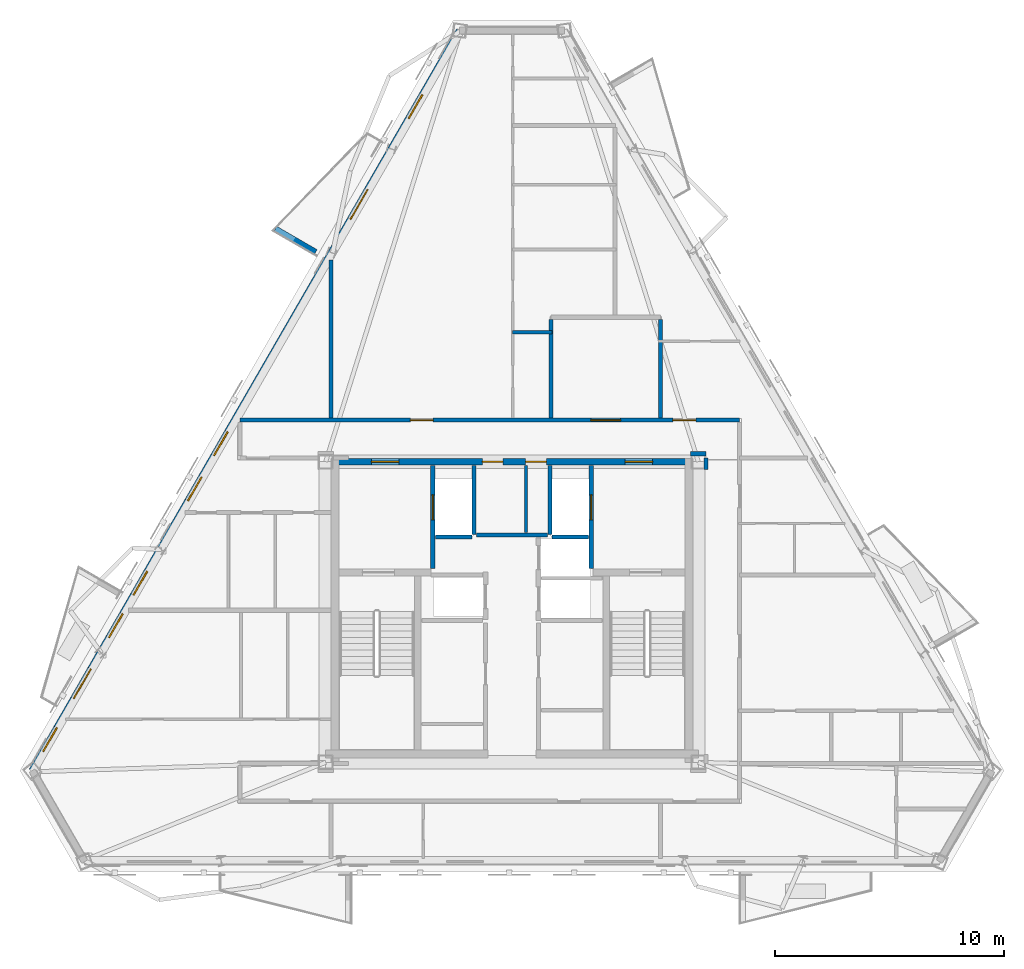
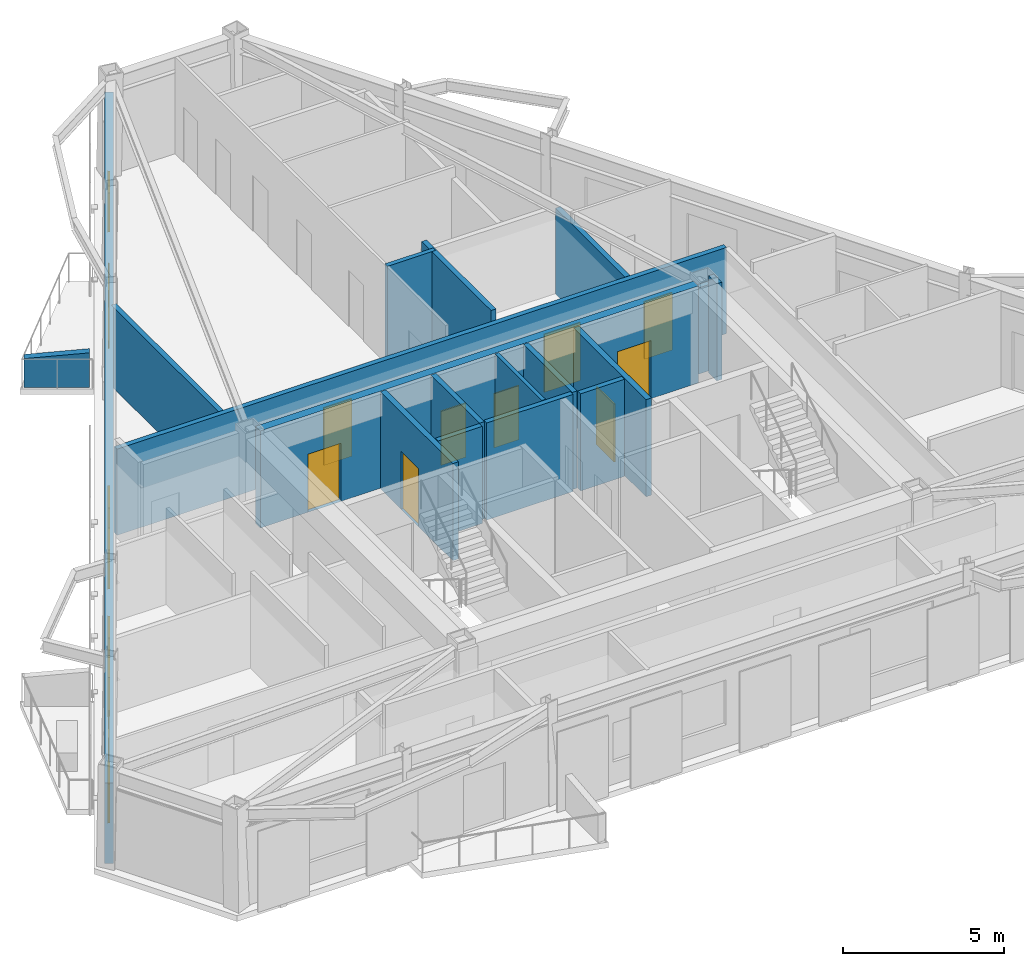
# One storey, part 4 of 9: 18 walls, 11 doors, 6 windows, 17 openings.
"""IFC4 building model written with IfcOpenShell, lengths in metres."""

from ifc_helpers import new_model, si_unit, direction, frame, frame_2d, origin, place, context, subcontext, project, spatial, polyline, rectangle, outline, extrude, material, layer, layer_set, type_object, element, fill, save


model = new_model("IFC4")

# Units and contexts
model_context = context("Model", 3, precision=1e-05, world=origin(), true_north=direction((0.0, 1.0)))
body_context = subcontext(model_context, "Body", "Model", "MODEL_VIEW")
ifc_project = project(units=[si_unit("LENGTHUNIT", "METRE"), si_unit("AREAUNIT", "SQUARE_METRE"), si_unit("VOLUMEUNIT", "CUBIC_METRE"), si_unit("PLANEANGLEUNIT", "RADIAN"), si_unit("MASSUNIT", "GRAM", prefix="KILO")], contexts=[model_context])

# Site, building, storey
site_placement = place(None, origin())
site = spatial("IfcSite", under=ifc_project, at=site_placement, CompositionType="ELEMENT")
building_placement = place(site_placement, origin())
building = spatial("IfcBuilding", under=site, at=building_placement, Name="Oramaril Tower", CompositionType="ELEMENT")
storey_placement = place(building_placement, frame((0.0, 0.0, 277.199951171875)))
storey = spatial("IfcBuildingStorey", under=building, at=storey_placement, Name="L73", CompositionType="ELEMENT", Elevation=277.199951171875)

# Wall, openings, doors, windows
ifc_material_1 = material(Name="Warm Cream Limestone", Category="masonry")
ifc_layer_1 = layer(ifc_material_1, 0.2900390625)
ifc_layer_set_1 = layer_set([ifc_layer_1], Name="WT-EXT29")
wall_type_1 = type_object("IfcWallType", Name="WT-EXT29", PredefinedType="SOLIDWALL", material=ifc_layer_set_1)
wall_1_placement = place(storey_placement, frame((35.201904296875, 43.013427734375, 0.0), z_axis=(0.0, 0.0, 1.0), x_axis=(-0.499998095684, -0.866026503239, 0.0)))
wall_1 = element("IfcWall", 1, at=wall_1_placement, inside=storey, type_object=wall_type_1, Name="L73 Tower Limestone Facade Wall 6M", PredefinedType="SOLIDWALL", context=body_context, shape_type="SweptSolid", body=[
    extrude(rectangle(XDim=37.389404296875, YDim=0.2900390625, at=frame_2d((18.69482421875, 0.0))), origin(), (0.0, 0.0, 1.0), 3.05810546875),
])
opening_1_placement = place(wall_1_placement, frame((8.034423828125, 0.0, 0.0)))
opening_1 = element("IfcOpeningElement", 2, at=opening_1_placement, cuts=wall_1, Name="Opening D-L73-BAL-NW1", PredefinedType="OPENING", context=body_context, shape_type="SweptSolid", body=[
    extrude(rectangle(XDim=1.5, YDim=2.199951171875, at=frame_2d((0.75, 1.10009765625))), frame((0.0, 0.14501953125, 0.0), z_axis=(0.0, -1.0, 0.0), x_axis=(1.0, 0.0, 0.0)), (0.0, 0.0, 1.0), 0.2900390625),
])
opening_2_placement = place(wall_1_placement, frame((32.25, 0.0, 0.0)))
opening_2 = element("IfcOpeningElement", 3, at=opening_2_placement, cuts=wall_1, Name="Opening D-L73-BAL-NW2", PredefinedType="OPENING", context=body_context, shape_type="SweptSolid", body=[
    extrude(rectangle(XDim=1.5, YDim=2.199951171875, at=frame_2d((0.75, 1.10009765625))), frame((0.0, 0.14501953125, 0.0), z_axis=(0.0, -1.0, 0.0), x_axis=(1.0, 0.0, 0.0)), (0.0, 0.0, 1.0), 0.2900390625),
])
opening_3_placement = place(wall_1_placement, frame((35.22265625, 0.0, 0.85009765625)))
opening_3 = element("IfcOpeningElement", 4, at=opening_3_placement, cuts=wall_1, Name="Opening WN-09", PredefinedType="OPENING", context=body_context, shape_type="SweptSolid", body=[
    extrude(rectangle(XDim=1.199951171875, YDim=1.47998046875, at=frame_2d((0.60009765625, 0.739990234375))), frame((0.0, 0.14501953125, 0.0), z_axis=(0.0, -1.0, 0.0), x_axis=(1.0, 0.0, 0.0)), (0.0, 0.0, 1.0), 0.2900390625),
])
opening_4_placement = place(wall_1_placement, frame((29.46142578125, 0.0, 0.85009765625)))
opening_4 = element("IfcOpeningElement", 5, at=opening_4_placement, cuts=wall_1, Name="Opening WN-09", PredefinedType="OPENING", context=body_context, shape_type="SweptSolid", body=[
    extrude(rectangle(XDim=1.199951171875, YDim=1.47998046875, at=frame_2d((0.60009765625, 0.739990234375))), frame((0.0, 0.14501953125, 0.0), z_axis=(0.0, -1.0, 0.0), x_axis=(1.0, 0.0, 0.0)), (0.0, 0.0, 1.0), 0.2900390625),
])
opening_5_placement = place(wall_1_placement, frame((20.2705078125, 0.0, 0.85009765625)))
opening_5 = element("IfcOpeningElement", 6, at=opening_5_placement, cuts=wall_1, Name="Opening WN-09", PredefinedType="OPENING", context=body_context, shape_type="SweptSolid", body=[
    extrude(rectangle(XDim=1.199951171875, YDim=1.47998046875, at=frame_2d((0.60009765625, 0.739990234375))), frame((0.0, 0.14501953125, 0.0), z_axis=(0.0, -1.0, 0.0), x_axis=(1.0, 0.0, 0.0)), (0.0, 0.0, 1.0), 0.2900390625),
])
opening_6_placement = place(wall_1_placement, frame((22.555419921875, 0.0, 0.85009765625)))
opening_6 = element("IfcOpeningElement", 7, at=opening_6_placement, cuts=wall_1, Name="Opening WN-09", PredefinedType="OPENING", context=body_context, shape_type="SweptSolid", body=[
    extrude(rectangle(XDim=1.199951171875, YDim=1.47998046875, at=frame_2d((0.60009765625, 0.739990234375))), frame((0.0, 0.14501953125, 0.0), z_axis=(0.0, -1.0, 0.0), x_axis=(1.0, 0.0, 0.0)), (0.0, 0.0, 1.0), 0.2900390625),
])
opening_7_placement = place(wall_1_placement, frame((27.315185546875, 0.0, 0.85009765625)))
opening_7 = element("IfcOpeningElement", 8, at=opening_7_placement, cuts=wall_1, Name="Opening WN-09", PredefinedType="OPENING", context=body_context, shape_type="SweptSolid", body=[
    extrude(rectangle(XDim=1.199951171875, YDim=1.47998046875, at=frame_2d((0.60009765625, 0.739990234375))), frame((0.0, 0.14501953125, 0.0), z_axis=(0.0, -1.0, 0.0), x_axis=(1.0, 0.0, 0.0)), (0.0, 0.0, 1.0), 0.2900390625),
])
opening_8_placement = place(wall_1_placement, frame((3.241943359375, 0.0, 0.85009765625)))
opening_8 = element("IfcOpeningElement", 9, at=opening_8_placement, cuts=wall_1, Name="Opening WN-09", PredefinedType="OPENING", context=body_context, shape_type="SweptSolid", body=[
    extrude(rectangle(XDim=1.199951171875, YDim=1.47998046875, at=frame_2d((0.60009765625, 0.739990234375))), frame((0.0, 0.14501953125, 0.0), z_axis=(0.0, -1.0, 0.0), x_axis=(1.0, 0.0, 0.0)), (0.0, 0.0, 1.0), 0.2900390625),
])
ifc_material_2 = material(Name="Anodised Aluminium 6063-T6", Category="aluminium")
door_type_1 = type_object("IfcDoorType", Name="DT-BAL", OperationType="NOTDEFINED", PredefinedType="DOOR", material=ifc_material_2)
door_1_placement = place(opening_1_placement, origin())
door_1 = element("IfcDoor", 10, at=door_1_placement, inside=storey, type_object=door_type_1, Name="L73 Balcony Glazed Door L73-BAL-NW1", OperationType="SINGLE_SWING_RIGHT", OverallHeight=2.199951171875, OverallWidth=1.5, PredefinedType="DOOR", context=body_context, shape_type="SweptSolid", body=[
    extrude(rectangle(XDim=1.5, YDim=2.199951171875, at=frame_2d((0.75, 1.10009765625))), frame((0.0, 0.02490234375, 0.0), z_axis=(0.0, -1.0, 0.0), x_axis=(1.0, 0.0, 0.0)), (0.0, 0.0, 1.0), 0.050048828125),
])
fill(opening_1, door_1)
door_2_placement = place(opening_2_placement, origin())
door_2 = element("IfcDoor", 11, at=door_2_placement, inside=storey, type_object=door_type_1, Name="L73 Balcony Glazed Door L73-BAL-NW2", OperationType="SINGLE_SWING_LEFT", OverallHeight=2.199951171875, OverallWidth=1.5, PredefinedType="DOOR", context=body_context, shape_type="SweptSolid", body=[
    extrude(rectangle(XDim=1.5, YDim=2.199951171875, at=frame_2d((0.75, 1.10009765625))), frame((0.0, 0.02490234375, 0.0), z_axis=(0.0, -1.0, 0.0), x_axis=(1.0, 0.0, 0.0)), (0.0, 0.0, 1.0), 0.050048828125),
])
fill(opening_2, door_2)
ifc_material_3 = material(Name="Coastal Low-E Insulated Glass", Category="glass")
window_type = type_object("IfcWindowType", Name="WNT-09", PartitioningType="SINGLE_PANEL", PredefinedType="WINDOW", material=ifc_material_3)
window_1_placement = place(opening_3_placement, origin())
window_1 = element("IfcWindow", 12, at=window_1_placement, inside=storey, type_object=window_type, Name="L73 Chicago Bay Window WN-09", OverallHeight=1.47998046875, OverallWidth=1.199951171875, PartitioningType="SINGLE_PANEL", PredefinedType="WINDOW", context=body_context, shape_type="SweptSolid", body=[
    extrude(rectangle(XDim=1.199951171875, YDim=1.47998046875, at=frame_2d((0.60009765625, 0.739990234375))), frame((0.0, 0.030029296875, 0.0), z_axis=(0.0, -1.0, 0.0), x_axis=(1.0, 0.0, 0.0)), (0.0, 0.0, 1.0), 0.06005859375),
])
fill(opening_3, window_1)
window_2_placement = place(opening_4_placement, origin())
window_2 = element("IfcWindow", 13, at=window_2_placement, inside=storey, type_object=window_type, Name="L73 Chicago Bay Window WN-09", OverallHeight=1.47998046875, OverallWidth=1.199951171875, PartitioningType="SINGLE_PANEL", PredefinedType="WINDOW", context=body_context, shape_type="SweptSolid", body=[
    extrude(rectangle(XDim=1.199951171875, YDim=1.47998046875, at=frame_2d((0.60009765625, 0.739990234375))), frame((0.0, 0.030029296875, 0.0), z_axis=(0.0, -1.0, 0.0), x_axis=(1.0, 0.0, 0.0)), (0.0, 0.0, 1.0), 0.06005859375),
])
fill(opening_4, window_2)
window_3_placement = place(opening_5_placement, origin())
window_3 = element("IfcWindow", 14, at=window_3_placement, inside=storey, type_object=window_type, Name="L73 Chicago Bay Window WN-09", OverallHeight=1.47998046875, OverallWidth=1.199951171875, PartitioningType="SINGLE_PANEL", PredefinedType="WINDOW", context=body_context, shape_type="SweptSolid", body=[
    extrude(rectangle(XDim=1.199951171875, YDim=1.47998046875, at=frame_2d((0.60009765625, 0.739990234375))), frame((0.0, 0.030029296875, 0.0), z_axis=(0.0, -1.0, 0.0), x_axis=(1.0, 0.0, 0.0)), (0.0, 0.0, 1.0), 0.06005859375),
])
fill(opening_5, window_3)
window_4_placement = place(opening_6_placement, origin())
window_4 = element("IfcWindow", 15, at=window_4_placement, inside=storey, type_object=window_type, Name="L73 Chicago Bay Window WN-09", OverallHeight=1.47998046875, OverallWidth=1.199951171875, PartitioningType="SINGLE_PANEL", PredefinedType="WINDOW", context=body_context, shape_type="SweptSolid", body=[
    extrude(rectangle(XDim=1.199951171875, YDim=1.47998046875, at=frame_2d((0.60009765625, 0.739990234375))), frame((0.0, 0.030029296875, 0.0), z_axis=(0.0, -1.0, 0.0), x_axis=(1.0, 0.0, 0.0)), (0.0, 0.0, 1.0), 0.06005859375),
])
fill(opening_6, window_4)
window_5_placement = place(opening_7_placement, origin())
window_5 = element("IfcWindow", 16, at=window_5_placement, inside=storey, type_object=window_type, Name="L73 Chicago Bay Window WN-09", OverallHeight=1.47998046875, OverallWidth=1.199951171875, PartitioningType="SINGLE_PANEL", PredefinedType="WINDOW", context=body_context, shape_type="SweptSolid", body=[
    extrude(rectangle(XDim=1.199951171875, YDim=1.47998046875, at=frame_2d((0.60009765625, 0.739990234375))), frame((0.0, 0.030029296875, 0.0), z_axis=(0.0, -1.0, 0.0), x_axis=(1.0, 0.0, 0.0)), (0.0, 0.0, 1.0), 0.06005859375),
])
fill(opening_7, window_5)
window_6_placement = place(opening_8_placement, origin())
window_6 = element("IfcWindow", 17, at=window_6_placement, inside=storey, type_object=window_type, Name="L73 Chicago Bay Window WN-09", OverallHeight=1.47998046875, OverallWidth=1.199951171875, PartitioningType="SINGLE_PANEL", PredefinedType="WINDOW", context=body_context, shape_type="SweptSolid", body=[
    extrude(rectangle(XDim=1.199951171875, YDim=1.47998046875, at=frame_2d((0.60009765625, 0.739990234375))), frame((0.0, 0.030029296875, 0.0), z_axis=(0.0, -1.0, 0.0), x_axis=(1.0, 0.0, 0.0)), (0.0, 0.0, 1.0), 0.06005859375),
])
fill(opening_8, window_6)

# Walls
ifc_material_4 = material(Name="Concrete C40/50", Category="concrete")
ifc_layer_2 = layer(ifc_material_4, 0.22998046875)
ifc_layer_set_2 = layer_set([ifc_layer_2], Name="WT-PRP23")
wall_type_2 = type_object("IfcWallType", Name="WT-PRP23", PredefinedType="PARAPET", material=ifc_layer_set_2)
wall_2_placement = place(storey_placement, frame((28.91943359375, 33.32763671875, 0.0), z_axis=(0.0, 0.0, 1.0), x_axis=(-0.866042246008, 0.499970827278, 0.0)))
element("IfcWall", 18, at=wall_2_placement, inside=storey, type_object=wall_type_2, Name="L73 Trapezoidal Balcony Frame Cheek L73-BAL-NW1-R", PredefinedType="PARAPET", context=body_context, shape_type="SweptSolid", body=[
    extrude(outline(polyline([(0.0, 0.0), (2.0419921875, 0.0), (2.0419921875, 1.10009765625), (0.0, 1.320068359375), (0.0, 0.0)])), frame((0.0, 0.114990234375, 0.0), z_axis=(0.0, -1.0, 0.0), x_axis=(1.0, 0.0, 0.0)), (0.0, 0.0, 1.0), 0.22998046875),
])
ifc_material_5 = material(Name="Acoustic Gypsum Board Partition")
ifc_layer_3 = layer(ifc_material_5, 0.139892578125)
ifc_layer_set_3 = layer_set([ifc_layer_3], Name="WT-PT14")
wall_type_3 = type_object("IfcWallType", Name="WT-PT14", PredefinedType="PARTITIONING", material=ifc_layer_set_3)
wall_3_placement = place(storey_placement, frame((38.110107421875, 21.06005859375, 0.0), z_axis=(0.0, 0.0, 1.0), x_axis=(0.0, 1.0, 0.0)))
element("IfcWall", 19, at=wall_3_placement, inside=storey, type_object=wall_type_3, Name="L73 Core Service Divider", PredefinedType="PARTITIONING", context=body_context, shape_type="SweptSolid", body=[
    extrude(rectangle(XDim=2.919921875, YDim=0.139892578125, at=frame_2d((1.4599609375, 0.0))), origin(), (0.0, 0.0, 1.0), 3.679931640625),
])
ifc_material_6 = material(Name="Acoustic Gypsum Board Partition")
ifc_layer_4 = layer(ifc_material_6, 0.159912109375)
ifc_layer_set_4 = layer_set([ifc_layer_4], Name="WT-PT16")
wall_type_4 = type_object("IfcWallType", Name="WT-PT16", PredefinedType="PARTITIONING", material=ifc_layer_set_4)
wall_4_placement = place(storey_placement, frame((37.52880859375, 29.820068359375, 0.0), z_axis=(0.0, 0.0, 1.0), x_axis=(1.0, 0.0, 0.0)))
element("IfcWall", 20, at=wall_4_placement, inside=storey, type_object=wall_type_4, Name="L73 Interior Partition PT-16", PredefinedType="PARTITIONING", context=body_context, shape_type="SweptSolid", body=[
    extrude(rectangle(XDim=1.72119140625, YDim=0.159912109375, at=frame_2d((0.860595703125, 0.0))), origin(), (0.0, 0.0, 1.0), 3.679931640625),
])
ifc_material_7 = material(Name="Autoclaved Cellular Concrete Block", Category="concrete")
ifc_layer_5 = layer(ifc_material_7, 0.179931640625)
ifc_layer_set_5 = layer_set([ifc_layer_5], Name="WT-PT18")
wall_type_5 = type_object("IfcWallType", Name="WT-PT18", PredefinedType="PARTITIONING", material=ifc_layer_set_5)
wall_5_placement = place(storey_placement, frame((35.840087890625, 20.9599609375, 0.0), z_axis=(0.0, 0.0, 1.0), x_axis=(0.0, 1.0, 0.0)))
element("IfcWall", 21, at=wall_5_placement, inside=storey, type_object=wall_type_5, Name="L73 FL-1 East Shaft Wall", PredefinedType="PARTITIONING", context=body_context, shape_type="SweptSolid", body=[
    extrude(rectangle(XDim=3.02001953125, YDim=0.179931640625, at=frame_2d((1.510009765625, 0.0))), origin(), (0.0, 0.0, 1.0), 3.679931640625),
])
wall_6_placement = place(storey_placement, frame((34.159912109375, 20.860107421875, 0.0), z_axis=(0.0, 0.0, 1.0), x_axis=(1.0, 0.0, 0.0)))
element("IfcWall", 22, at=wall_6_placement, inside=storey, type_object=wall_type_5, Name="L73 FL-1 South Shaft Wall", PredefinedType="PARTITIONING", context=body_context, shape_type="SweptSolid", body=[
    extrude(rectangle(XDim=1.580078125, YDim=0.179931640625, at=frame_2d((0.7900390625, 0.0))), origin(), (0.0, 0.0, 1.0), 3.679931640625),
])
wall_7_placement = place(storey_placement, frame((39.159912109375, 20.9599609375, 0.0), z_axis=(0.0, 0.0, 1.0), x_axis=(0.0, 1.0, 0.0)))
element("IfcWall", 23, at=wall_7_placement, inside=storey, type_object=wall_type_5, Name="L73 FL-2 West Shaft Wall", PredefinedType="PARTITIONING", context=body_context, shape_type="SweptSolid", body=[
    extrude(rectangle(XDim=3.02001953125, YDim=0.179931640625, at=frame_2d((1.510009765625, 0.0))), origin(), (0.0, 0.0, 1.0), 3.679931640625),
])
wall_8_placement = place(storey_placement, frame((39.260009765625, 20.860107421875, 0.0), z_axis=(0.0, 0.0, 1.0), x_axis=(1.0, 0.0, 0.0)))
element("IfcWall", 24, at=wall_8_placement, inside=storey, type_object=wall_type_5, Name="L73 FL-2 South Shaft Wall", PredefinedType="PARTITIONING", context=body_context, shape_type="SweptSolid", body=[
    extrude(rectangle(XDim=1.580078125, YDim=0.179931640625, at=frame_2d((0.7900390625, 0.0))), origin(), (0.0, 0.0, 1.0), 3.679931640625),
])
wall_9_placement = place(storey_placement, frame((35.949951171875, 20.949951171875, 0.0), z_axis=(0.0, 0.0, 1.0), x_axis=(1.0, 0.0, 0.0)))
element("IfcWall", 25, at=wall_9_placement, inside=storey, type_object=wall_type_5, Name="L73 Lift Lobby North Partition", PredefinedType="PARTITIONING", context=body_context, shape_type="SweptSolid", body=[
    extrude(rectangle(XDim=3.10009765625, YDim=0.179931640625, at=frame_2d((1.550048828125, 0.0))), origin(), (0.0, 0.0, 1.0), 3.679931640625),
])
wall_10_placement = place(storey_placement, frame((45.304931640625, 24.5, 0.0), z_axis=(0.0, 0.0, 1.0), x_axis=(1.0, 0.0, 0.0)))
element("IfcWall", 26, at=wall_10_placement, inside=storey, type_object=wall_type_5, Name="L73 Interior Partition PT-18", PredefinedType="PARTITIONING", context=body_context, shape_type="SweptSolid", body=[
    extrude(rectangle(XDim=0.690185546875, YDim=0.179931640625, at=frame_2d((0.34521484375, 0.0))), origin(), (0.0, 0.0, 1.0), 3.26611328125),
])

# Wall, openings, doors
wall_11_placement = place(storey_placement, frame((25.60009765625, 25.969970703125, 0.0), z_axis=(0.0, 0.0, 1.0), x_axis=(1.0, 0.0, 0.0)))
wall_11 = element("IfcWall", 27, at=wall_11_placement, inside=storey, type_object=wall_type_5, Name="L73 Interior Partition PT-18", PredefinedType="PARTITIONING", context=body_context, shape_type="SweptSolid", body=[
    extrude(rectangle(XDim=21.849853515625, YDim=0.179931640625, at=frame_2d((10.9248046875, 0.0))), origin(), (0.0, 0.0, 1.0), 3.26611328125),
])
opening_9_placement = place(wall_11_placement, frame((7.454345703125, 0.0, 0.0)))
opening_9 = element("IfcOpeningElement", 28, at=opening_9_placement, cuts=wall_11, Name="Opening D-L73-16", PredefinedType="OPENING", context=body_context, shape_type="SweptSolid", body=[
    extrude(rectangle(XDim=1.0, YDim=2.179931640625, at=frame_2d((0.5, 1.08984375))), frame((0.0, 0.08984375, 0.0), z_axis=(0.0, -1.0, 0.0), x_axis=(1.0, 0.0, 0.0)), (0.0, 0.0, 1.0), 0.179931640625),
])
opening_10_placement = place(wall_11_placement, frame((15.35009765625, 0.0, 0.0)))
opening_10 = element("IfcOpeningElement", 29, at=opening_10_placement, cuts=wall_11, Name="Opening D-L73-17", PredefinedType="OPENING", context=body_context, shape_type="SweptSolid", body=[
    extrude(rectangle(XDim=1.300048828125, YDim=2.199951171875, at=frame_2d((0.64990234375, 1.10009765625))), frame((0.0, 0.08984375, 0.0), z_axis=(0.0, -1.0, 0.0), x_axis=(1.0, 0.0, 0.0)), (0.0, 0.0, 1.0), 0.179931640625),
])
opening_11_placement = place(wall_11_placement, frame((18.9404296875, 0.0, 0.0)))
opening_11 = element("IfcOpeningElement", 30, at=opening_11_placement, cuts=wall_11, Name="Opening D-L73-18", PredefinedType="OPENING", context=body_context, shape_type="SweptSolid", body=[
    extrude(rectangle(XDim=1.0, YDim=2.179931640625, at=frame_2d((0.5, 1.08984375))), frame((0.0, 0.08984375, 0.0), z_axis=(0.0, -1.0, 0.0), x_axis=(1.0, 0.0, 0.0)), (0.0, 0.0, 1.0), 0.179931640625),
])
ifc_material_8 = material(Name="FSC Brazilian Freijo Hardwood", Category="wood")
door_type_2 = type_object("IfcDoorType", Name="DT-APT", OperationType="NOTDEFINED", PredefinedType="DOOR", material=ifc_material_8)
door_3_placement = place(opening_9_placement, origin())
door_3 = element("IfcDoor", 31, at=door_3_placement, inside=storey, type_object=door_type_2, Name="L73 Flat L73-U7 Penthouse Living and Dining Room Door D-L73-16", OperationType="SINGLE_SWING_LEFT", OverallHeight=2.179931640625, OverallWidth=1.0, PredefinedType="DOOR", context=body_context, shape_type="SweptSolid", body=[
    extrude(rectangle(XDim=1.0, YDim=2.179931640625, at=frame_2d((0.5, 1.08984375))), frame((0.0, 0.02490234375, 0.0), z_axis=(0.0, -1.0, 0.0), x_axis=(1.0, 0.0, 0.0)), (0.0, 0.0, 1.0), 0.050048828125),
])
fill(opening_9, door_3)
door_4_placement = place(opening_11_placement, origin())
door_4 = element("IfcDoor", 32, at=door_4_placement, inside=storey, type_object=door_type_2, Name="L73 Flat L73-U8 Kitchen and Studio Apartment Door D-L73-18", OperationType="SINGLE_SWING_LEFT", OverallHeight=2.179931640625, OverallWidth=1.0, PredefinedType="DOOR", context=body_context, shape_type="SweptSolid", body=[
    extrude(rectangle(XDim=1.0, YDim=2.179931640625, at=frame_2d((0.5, 1.08984375))), frame((0.0, 0.02490234375, 0.0), z_axis=(0.0, -1.0, 0.0), x_axis=(1.0, 0.0, 0.0)), (0.0, 0.0, 1.0), 0.050048828125),
])
fill(opening_11, door_4)
ifc_material_9 = material(Name="FSC Brazilian Freijo Hardwood", Category="wood")
door_type_3 = type_object("IfcDoorType", Name="DT-COM", OperationType="NOTDEFINED", PredefinedType="DOOR", material=ifc_material_9)
door_5_placement = place(opening_10_placement, origin())
door_5 = element("IfcDoor", 33, at=door_5_placement, inside=storey, type_object=door_type_3, Name="L73 L73 Residents Floor Meeting Suite Door D-L73-17", OperationType="SINGLE_SWING_RIGHT", OverallHeight=2.199951171875, OverallWidth=1.300048828125, PredefinedType="DOOR", context=body_context, shape_type="SweptSolid", body=[
    extrude(rectangle(XDim=1.300048828125, YDim=2.199951171875, at=frame_2d((0.64990234375, 1.10009765625))), frame((0.0, 0.02490234375, 0.0), z_axis=(0.0, -1.0, 0.0), x_axis=(1.0, 0.0, 0.0)), (0.0, 0.0, 1.0), 0.050048828125),
])
fill(opening_10, door_5)

# Walls
wall_12_placement = place(storey_placement, frame((29.580078125, 26.06396484375, 0.0), z_axis=(0.0, 0.0, 1.0), x_axis=(0.0, 1.0, 0.0)))
element("IfcWall", 34, at=wall_12_placement, inside=storey, type_object=wall_type_5, Name="L73 Interior Partition PT-18", PredefinedType="PARTITIONING", context=body_context, shape_type="SweptSolid", body=[
    extrude(rectangle(XDim=6.913818359375, YDim=0.179931640625, at=frame_2d((3.45703125, 0.0))), origin(), (0.0, 0.0, 1.0), 3.05810546875),
])
wall_13_placement = place(storey_placement, frame((39.199951171875, 26.06396484375, 0.0), z_axis=(0.0, 0.0, 1.0), x_axis=(0.0, 1.0, 0.0)))
element("IfcWall", 35, at=wall_13_placement, inside=storey, type_object=wall_type_5, Name="L73 Interior Partition PT-18", PredefinedType="PARTITIONING", context=body_context, shape_type="SweptSolid", body=[
    extrude(rectangle(XDim=4.31201171875, YDim=0.179931640625, at=frame_2d((2.156005859375, 0.0))), origin(), (0.0, 0.0, 1.0), 3.679931640625),
])
wall_14_placement = place(storey_placement, frame((44.0, 26.06396484375, 0.0), z_axis=(0.0, 0.0, 1.0), x_axis=(0.0, 1.0, 0.0)))
element("IfcWall", 36, at=wall_14_placement, inside=storey, type_object=wall_type_5, Name="L73 Interior Partition PT-18", PredefinedType="PARTITIONING", context=body_context, shape_type="SweptSolid", body=[
    extrude(rectangle(XDim=4.31201171875, YDim=0.179931640625, at=frame_2d((2.156005859375, 0.0))), origin(), (0.0, 0.0, 1.0), 3.26611328125),
])
wall_15_placement = place(storey_placement, frame((45.989990234375, 23.81005859375, 0.0), z_axis=(0.0, 0.0, 1.0), x_axis=(0.0, 1.0, 0.0)))
element("IfcWall", 37, at=wall_15_placement, inside=storey, type_object=wall_type_5, Name="L73 Interior Partition PT-18", PredefinedType="PARTITIONING", context=body_context, shape_type="SweptSolid", body=[
    extrude(rectangle(XDim=0.510009765625, YDim=0.179931640625, at=frame_2d((0.2548828125, 0.0))), origin(), (0.0, 0.0, 1.0), 3.679931640625),
])

# Wall, openings, doors
ifc_material_10 = material(Name="Concrete C50/60", Category="concrete")
ifc_layer_6 = layer(ifc_material_10, 0.300048828125)
ifc_layer_set_6 = layer_set([ifc_layer_6], Name="WT-SH30")
wall_type_6 = type_object("IfcWallType", Name="WT-SH30", PredefinedType="SHEAR", material=ifc_layer_set_6)
wall_16_placement = place(storey_placement, frame((29.64990234375, 24.14990234375, 0.0), z_axis=(0.0, 0.0, 1.0), x_axis=(1.0, 0.0, 0.0)))
wall_16 = element("IfcWall", 38, at=wall_16_placement, inside=storey, type_object=wall_type_6, Name="L73 Core Shear Wall CW-N", PredefinedType="SHEAR", context=body_context, shape_type="SweptSolid", body=[
    extrude(rectangle(XDim=15.7001953125, YDim=0.300048828125, at=frame_2d((7.85009765625, 0.0))), origin(), (0.0, 0.0, 1.0), 3.679931640625),
])
opening_12_placement = place(wall_16_placement, frame((1.699951171875, 0.0, 0.0)))
opening_12 = element("IfcOpeningElement", 39, at=opening_12_placement, cuts=wall_16, Name="Opening D-L73-FFL1", PredefinedType="OPENING", context=body_context, shape_type="SweptSolid", body=[
    extrude(rectangle(XDim=1.199951171875, YDim=2.199951171875, at=frame_2d((0.60009765625, 1.10009765625))), frame((0.0, 0.14990234375, 0.0), z_axis=(0.0, -1.0, 0.0), x_axis=(1.0, 0.0, 0.0)), (0.0, 0.0, 1.0), 0.300048828125),
])
opening_13_placement = place(wall_16_placement, frame((12.800048828125, 0.0, 0.0)))
opening_13 = element("IfcOpeningElement", 40, at=opening_13_placement, cuts=wall_16, Name="Opening D-L73-FFL2", PredefinedType="OPENING", context=body_context, shape_type="SweptSolid", body=[
    extrude(rectangle(XDim=1.199951171875, YDim=2.199951171875, at=frame_2d((0.60009765625, 1.10009765625))), frame((0.0, 0.14990234375, 0.0), z_axis=(0.0, -1.0, 0.0), x_axis=(1.0, 0.0, 0.0)), (0.0, 0.0, 1.0), 0.300048828125),
])
opening_14_placement = place(wall_16_placement, frame((6.550048828125, 0.0, 0.0)))
opening_14 = element("IfcOpeningElement", 41, at=opening_14_placement, cuts=wall_16, Name="Opening D-L73-SV1", PredefinedType="OPENING", context=body_context, shape_type="SweptSolid", body=[
    extrude(rectangle(XDim=0.89990234375, YDim=2.050048828125, at=frame_2d((0.449951171875, 1.02490234375))), frame((0.0, 0.14990234375, 0.0), z_axis=(0.0, -1.0, 0.0), x_axis=(1.0, 0.0, 0.0)), (0.0, 0.0, 1.0), 0.300048828125),
])
opening_15_placement = place(wall_16_placement, frame((8.449951171875, 0.0, 0.0)))
opening_15 = element("IfcOpeningElement", 42, at=opening_15_placement, cuts=wall_16, Name="Opening D-L73-SV2", PredefinedType="OPENING", context=body_context, shape_type="SweptSolid", body=[
    extrude(rectangle(XDim=0.89990234375, YDim=2.050048828125, at=frame_2d((0.449951171875, 1.02490234375))), frame((0.0, 0.14990234375, 0.0), z_axis=(0.0, -1.0, 0.0), x_axis=(1.0, 0.0, 0.0)), (0.0, 0.0, 1.0), 0.300048828125),
])
ifc_material_11 = material(Name="Painted Galvanised Steel", Category="steel")
door_type_4 = type_object("IfcDoorType", Name="DT-FFL", OperationType="NOTDEFINED", PredefinedType="DOOR", material=ifc_material_11)
door_6_placement = place(opening_12_placement, origin())
door_6 = element("IfcDoor", 43, at=door_6_placement, inside=storey, type_object=door_type_4, Name="L73 Firefighting Lobby 1 Fire Door", OperationType="SINGLE_SWING_LEFT", OverallHeight=2.199951171875, OverallWidth=1.199951171875, PredefinedType="DOOR", context=body_context, shape_type="SweptSolid", body=[
    extrude(rectangle(XDim=1.199951171875, YDim=2.199951171875, at=frame_2d((0.60009765625, 1.10009765625))), frame((0.0, 0.02490234375, 0.0), z_axis=(0.0, -1.0, 0.0), x_axis=(1.0, 0.0, 0.0)), (0.0, 0.0, 1.0), 0.050048828125),
])
fill(opening_12, door_6)
door_7_placement = place(opening_13_placement, origin())
door_7 = element("IfcDoor", 44, at=door_7_placement, inside=storey, type_object=door_type_4, Name="L73 Firefighting Lobby 2 Fire Door", OperationType="SINGLE_SWING_RIGHT", OverallHeight=2.199951171875, OverallWidth=1.199951171875, PredefinedType="DOOR", context=body_context, shape_type="SweptSolid", body=[
    extrude(rectangle(XDim=1.199951171875, YDim=2.199951171875, at=frame_2d((0.60009765625, 1.10009765625))), frame((0.0, 0.02490234375, 0.0), z_axis=(0.0, -1.0, 0.0), x_axis=(1.0, 0.0, 0.0)), (0.0, 0.0, 1.0), 0.050048828125),
])
fill(opening_13, door_7)
ifc_material_12 = material(Name="Painted Galvanised Steel", Category="steel")
door_type_5 = type_object("IfcDoorType", Name="DT-SVC", OperationType="NOTDEFINED", PredefinedType="DOOR", material=ifc_material_12)
door_8_placement = place(opening_14_placement, origin())
door_8 = element("IfcDoor", 45, at=door_8_placement, inside=storey, type_object=door_type_5, Name="L73 Core Service Store 1 Door", OperationType="SINGLE_SWING_LEFT", OverallHeight=2.050048828125, OverallWidth=0.89990234375, PredefinedType="DOOR", context=body_context, shape_type="SweptSolid", body=[
    extrude(rectangle(XDim=0.89990234375, YDim=2.050048828125, at=frame_2d((0.449951171875, 1.02490234375))), frame((0.0, 0.02490234375, 0.0), z_axis=(0.0, -1.0, 0.0), x_axis=(1.0, 0.0, 0.0)), (0.0, 0.0, 1.0), 0.050048828125),
])
fill(opening_14, door_8)
door_9_placement = place(opening_15_placement, origin())
door_9 = element("IfcDoor", 46, at=door_9_placement, inside=storey, type_object=door_type_5, Name="L73 Core Service Store 2 Door", OperationType="SINGLE_SWING_RIGHT", OverallHeight=2.050048828125, OverallWidth=0.89990234375, PredefinedType="DOOR", context=body_context, shape_type="SweptSolid", body=[
    extrude(rectangle(XDim=0.89990234375, YDim=2.050048828125, at=frame_2d((0.449951171875, 1.02490234375))), frame((0.0, 0.02490234375, 0.0), z_axis=(0.0, -1.0, 0.0), x_axis=(1.0, 0.0, 0.0)), (0.0, 0.0, 1.0), 0.050048828125),
])
fill(opening_15, door_9)

# Wall, opening, door
ifc_material_13 = material(Name="Autoclaved Cellular Concrete Block", Category="concrete")
ifc_layer_7 = layer(ifc_material_13, 0.199951171875)
ifc_layer_set_7 = layer_set([ifc_layer_7], Name="WT-SHF20")
wall_type_7 = type_object("IfcWallType", Name="WT-SHF20", PredefinedType="PARTITIONING", material=ifc_layer_set_7)
wall_17_placement = place(storey_placement, frame((34.0400390625, 19.47998046875, 0.0), z_axis=(0.0, 0.0, 1.0), x_axis=(0.0, 1.0, 0.0)))
wall_17 = element("IfcWall", 47, at=wall_17_placement, inside=storey, type_object=wall_type_7, Name="L73 FL-1 Lobby Shaft Wall", PredefinedType="PARTITIONING", context=body_context, shape_type="SweptSolid", body=[
    extrude(rectangle(XDim=4.5, YDim=0.199951171875, at=frame_2d((2.25, 0.0))), origin(), (0.0, 0.0, 1.0), 3.679931640625),
])
opening_16_placement = place(wall_17_placement, frame((2.1201171875, 0.0, 0.0)))
opening_16 = element("IfcOpeningElement", 48, at=opening_16_placement, cuts=wall_17, Name="Opening LD-L73-FL-1", PredefinedType="OPENING", context=body_context, shape_type="SweptSolid", body=[
    extrude(rectangle(XDim=1.10009765625, YDim=2.199951171875, at=frame_2d((0.550048828125, 1.10009765625))), frame((0.0, 0.10009765625, 0.0), z_axis=(0.0, -1.0, 0.0), x_axis=(1.0, 0.0, 0.0)), (0.0, 0.0, 1.0), 0.199951171875),
])
ifc_material_14 = material(Name="Stainless Steel 316L", Category="steel")
door_type_6 = type_object("IfcDoorType", Name="DT-LD1", OperationType="NOTDEFINED", PredefinedType="DOOR", material=ifc_material_14)
door_10_placement = place(opening_16_placement, origin())
door_10 = element("IfcDoor", 49, at=door_10_placement, inside=storey, type_object=door_type_6, Name="L73 Lift FL-1 Sliding Landing Door", OperationType="SLIDING_TO_LEFT", OverallHeight=2.199951171875, OverallWidth=1.10009765625, PredefinedType="DOOR", context=body_context, shape_type="SweptSolid", body=[
    extrude(rectangle(XDim=1.10009765625, YDim=2.199951171875, at=frame_2d((0.550048828125, 1.10009765625))), frame((0.0, 0.02490234375, 0.0), z_axis=(0.0, -1.0, 0.0), x_axis=(1.0, 0.0, 0.0)), (0.0, 0.0, 1.0), 0.050048828125),
])
fill(opening_16, door_10)

wall_18_placement = place(storey_placement, frame((40.9599609375, 19.47998046875, 0.0), z_axis=(0.0, 0.0, 1.0), x_axis=(0.0, 1.0, 0.0)))
wall_18 = element("IfcWall", 50, at=wall_18_placement, inside=storey, type_object=wall_type_7, Name="L73 FL-2 Lobby Shaft Wall", PredefinedType="PARTITIONING", context=body_context, shape_type="SweptSolid", body=[
    extrude(rectangle(XDim=4.5, YDim=0.199951171875, at=frame_2d((2.25, 0.0))), origin(), (0.0, 0.0, 1.0), 3.679931640625),
])
opening_17_placement = place(wall_18_placement, frame((2.1201171875, 0.0, 0.0)))
opening_17 = element("IfcOpeningElement", 51, at=opening_17_placement, cuts=wall_18, Name="Opening LD-L73-FL-2", PredefinedType="OPENING", context=body_context, shape_type="SweptSolid", body=[
    extrude(rectangle(XDim=1.10009765625, YDim=2.199951171875, at=frame_2d((0.550048828125, 1.10009765625))), frame((0.0, 0.10009765625, 0.0), z_axis=(0.0, -1.0, 0.0), x_axis=(1.0, 0.0, 0.0)), (0.0, 0.0, 1.0), 0.199951171875),
])
door_11_placement = place(opening_17_placement, origin())
door_11 = element("IfcDoor", 52, at=door_11_placement, inside=storey, type_object=door_type_6, Name="L73 Lift FL-2 Sliding Landing Door", OperationType="SLIDING_TO_RIGHT", OverallHeight=2.199951171875, OverallWidth=1.10009765625, PredefinedType="DOOR", context=body_context, shape_type="SweptSolid", body=[
    extrude(rectangle(XDim=1.10009765625, YDim=2.199951171875, at=frame_2d((0.550048828125, 1.10009765625))), frame((0.0, 0.02490234375, 0.0), z_axis=(0.0, -1.0, 0.0), x_axis=(1.0, 0.0, 0.0)), (0.0, 0.0, 1.0), 0.050048828125),
])
fill(opening_17, door_11)

save(model, "model.ifc")
